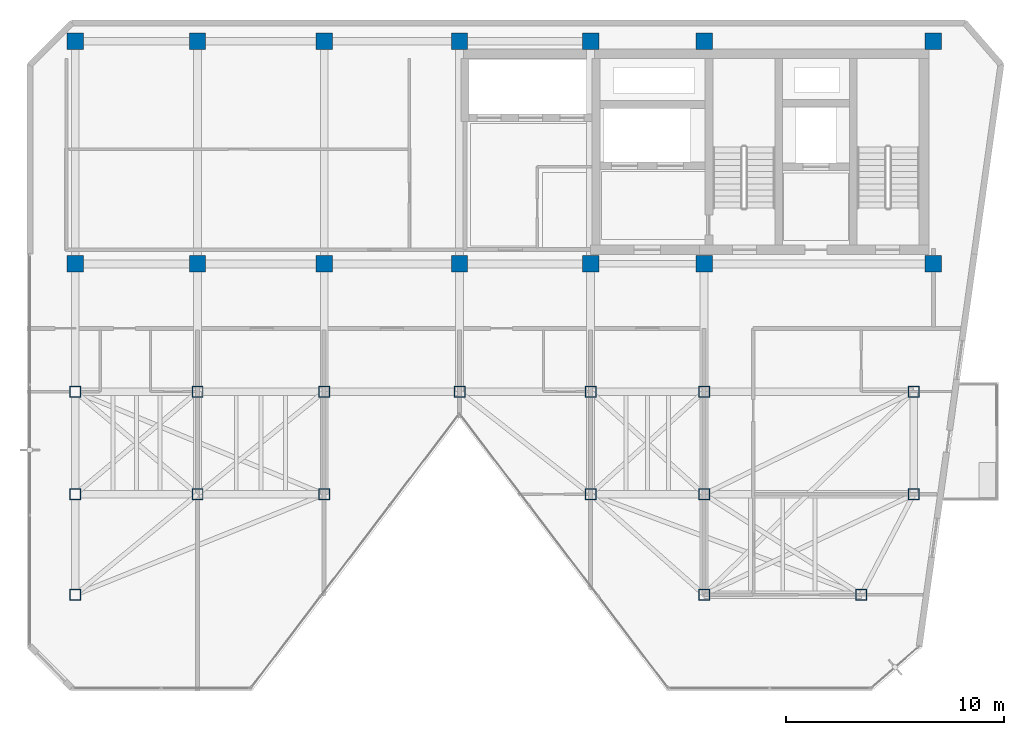
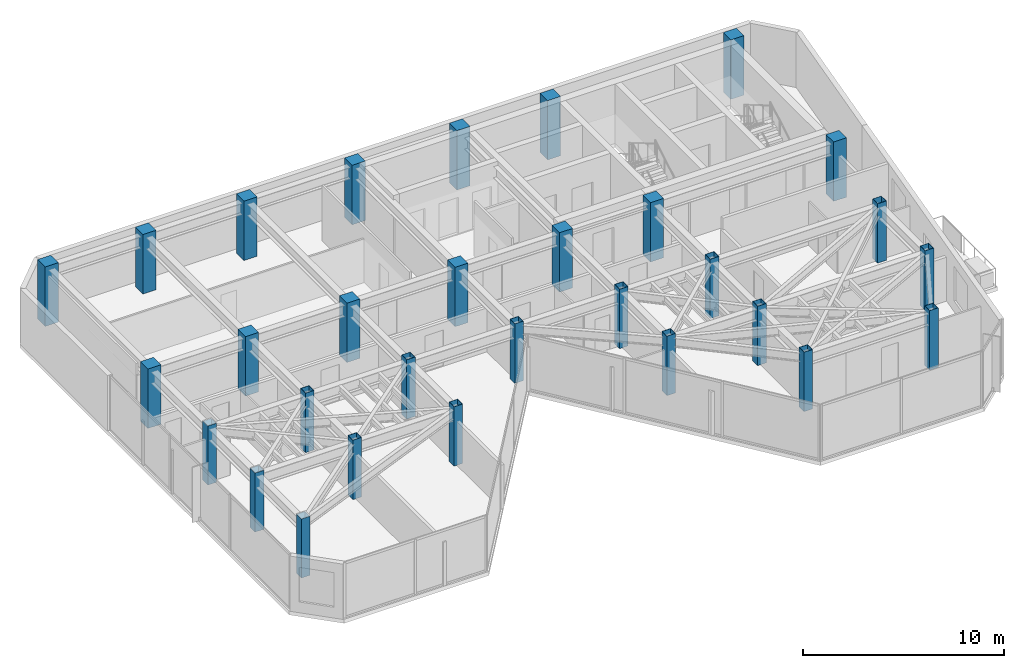
# One storey, part 1 of 19: 30 columns.
"""IFC4 building model written with IfcOpenShell, lengths in metres."""

from ifc_helpers import new_model, si_unit, direction, frame, origin, origin_2d, place, context, subcontext, project, spatial, rectangle, hollow_rectangle, extrude, material, material_profile, profile_set, type_object, element, save


model = new_model("IFC4")

# Units and contexts
model_context = context("Model", 3, precision=1e-05, world=origin(), true_north=direction((0.0, 1.0)))
body_context = subcontext(model_context, "Body", "Model", "MODEL_VIEW")
ifc_project = project(units=[si_unit("LENGTHUNIT", "METRE"), si_unit("AREAUNIT", "SQUARE_METRE"), si_unit("VOLUMEUNIT", "CUBIC_METRE"), si_unit("PLANEANGLEUNIT", "RADIAN"), si_unit("MASSUNIT", "GRAM", prefix="KILO")], contexts=[model_context])

# Site, building, storey
site_placement = place(None, origin())
site = spatial("IfcSite", under=ifc_project, at=site_placement, CompositionType="ELEMENT")
building_placement = place(site_placement, origin())
building = spatial("IfcBuilding", under=site, at=building_placement, Name="Kravanh Interchange Tower", CompositionType="ELEMENT")
storey_placement = place(building_placement, frame((0.0, 0.0, 259.800048828125)))
storey = spatial("IfcBuildingStorey", under=building, at=storey_placement, Name="L63", CompositionType="ELEMENT", Elevation=259.800048828125)

# Columns
ifc_material_1 = material(Name="Structural Steel S355", Category="steel")
ifc_material_profile_1 = material_profile(ifc_material_1, hollow_rectangle(XDim=0.5, YDim=0.5, WallThickness=0.02001953125, at=origin_2d()), Name="HSS500X500X20")
ifc_profile_set_1 = profile_set([ifc_material_profile_1], Name="Structural Steel S355")
column_type_1 = type_object("IfcColumnType", Name="Column HSS500X500X20 Structural Steel S355", PredefinedType="COLUMN", material=ifc_profile_set_1)
for number, where, z_axis, x_axis, name in (
    (1, (44.800048828125, 31.5, 0.0), (0.0, 0.0, 1.0), (1.0, 0.0, 0.0), "L63 Column CH_E1"),
    (2, (50.800048828125, 31.5, 0.0), (0.0, 0.0, 1.0), (1.0, 0.0, 0.0), "L63 Column CH_E2"),
    (3, (56.0, 31.5, 0.0), (0.0, 0.0, 1.0), (1.0, 0.0, 0.0), "L63 Column CH_E3"),
    (4, (65.60009765625, 31.5, 0.0), (0.0, 0.0, 1.0), (1.0, 0.0, 0.0), "L63 Column CH_E4"),
    (5, (38.60009765625, 31.5, 0.0), (0.0, 0.0, 1.0), (1.0, 0.0, 0.0), "L63 Column CH_E5"),
    (6, (32.800048828125, 31.5, 0.0), (0.0, 0.0, 1.0), (1.0, 0.0, 0.0), "L63 Column CH_E6"),
):
    element("IfcColumn", number, at=place(storey_placement, frame(where, z_axis=z_axis, x_axis=x_axis)), inside=storey, type_object=column_type_1, Name=name, PredefinedType="COLUMN", context=body_context, shape_type="SweptSolid", body=[
        extrude(hollow_rectangle(XDim=0.5, YDim=0.5, WallThickness=0.02001953125, at=origin_2d()), origin(), (0.0, 0.0, 1.0), 3.599853515625),
    ])
column_1_placement = place(storey_placement, frame((27.199951171875, 31.5, 0.0), z_axis=(0.0, 0.0, 1.0), x_axis=(1.0, 0.0, 0.0)))
element("IfcColumn", 7, at=column_1_placement, inside=storey, type_object=column_type_1, Name="L63 Column CH_E7", PredefinedType="COLUMN", context=body_context, shape_type="SweptSolid", body=[
    extrude(hollow_rectangle(XDim=0.5, YDim=0.5, WallThickness=0.02001953125, at=origin_2d()), origin(), (0.0, 0.0, 1.0), 3.574951171875),
])
for number, where, z_axis, x_axis, name in (
    (8, (38.60009765625, 26.800048828125, 0.0), (0.0, 0.0, 1.0), (1.0, 0.0, 0.0), "L63 Column CH_S1"),
    (9, (50.800048828125, 26.800048828125, 0.0), (0.0, 0.0, 1.0), (1.0, 0.0, 0.0), "L63 Column CH_S2"),
    (10, (56.0, 26.800048828125, 0.0), (0.0, 0.0, 1.0), (1.0, 0.0, 0.0), "L63 Column CH_S3"),
    (11, (65.60009765625, 26.800048828125, 0.0), (0.0, 0.0, 1.0), (1.0, 0.0, 0.0), "L63 Column CH_S4"),
    (12, (56.0, 22.199951171875, 0.0), (0.0, 0.0, 1.0), (1.0, 0.0, 0.0), "L63 Column CH_S5"),
    (13, (63.199951171875, 22.199951171875, 0.0), (0.0, 0.0, 1.0), (1.0, 0.0, 0.0), "L63 Column CH_S6"),
):
    element("IfcColumn", number, at=place(storey_placement, frame(where, z_axis=z_axis, x_axis=x_axis)), inside=storey, type_object=column_type_1, Name=name, PredefinedType="COLUMN", context=body_context, shape_type="SweptSolid", body=[
        extrude(hollow_rectangle(XDim=0.5, YDim=0.5, WallThickness=0.02001953125, at=origin_2d()), origin(), (0.0, 0.0, 1.0), 3.599853515625),
    ])
for number, where, z_axis, x_axis, name in (
    (14, (27.199951171875, 22.199951171875, 0.0), (0.0, 0.0, 1.0), (1.0, 0.0, 0.0), "L63 Column CH_W1"),
    (15, (27.199951171875, 26.800048828125, 0.0), (0.0, 0.0, 1.0), (1.0, 0.0, 0.0), "L63 Column CH_W1B"),
):
    element("IfcColumn", number, at=place(storey_placement, frame(where, z_axis=z_axis, x_axis=x_axis)), inside=storey, type_object=column_type_1, Name=name, PredefinedType="COLUMN", context=body_context, shape_type="SweptSolid", body=[
        extrude(hollow_rectangle(XDim=0.5, YDim=0.5, WallThickness=0.02001953125, at=origin_2d()), origin(), (0.0, 0.0, 1.0), 3.574951171875),
    ])
column_2_placement = place(storey_placement, frame((32.800048828125, 26.800048828125, 0.0), z_axis=(0.0, 0.0, 1.0), x_axis=(1.0, 0.0, 0.0)))
element("IfcColumn", 16, at=column_2_placement, inside=storey, type_object=column_type_1, Name="L63 Column CH_W3", PredefinedType="COLUMN", context=body_context, shape_type="SweptSolid", body=[
    extrude(hollow_rectangle(XDim=0.5, YDim=0.5, WallThickness=0.02001953125, at=origin_2d()), origin(), (0.0, 0.0, 1.0), 3.599853515625),
])
ifc_material_2 = material(Name="Concrete C60/75", Category="concrete")
ifc_material_profile_2 = material_profile(ifc_material_2, rectangle(XDim=0.75, YDim=0.75, at=origin_2d()), Name="RC750X750")
ifc_profile_set_2 = profile_set([ifc_material_profile_2], Name="Concrete C60/75")
column_type_2 = type_object("IfcColumnType", Name="Column RC750X750 Concrete C60/75", PredefinedType="COLUMN", material=ifc_profile_set_2)
for number, where, z_axis, x_axis, name in (
    (17, (66.5, 47.550048828125, 0.0), (0.0, 0.0, 1.0), (1.0, 0.0, 0.0), "L63 Column CS01"),
    (18, (56.0, 47.550048828125, 0.0), (0.0, 0.0, 1.0), (1.0, 0.0, 0.0), "L63 Column CS02"),
    (19, (66.5, 37.35009765625, 0.0), (0.0, 0.0, 1.0), (1.0, 0.0, 0.0), "L63 Column CS03"),
    (20, (56.0, 37.35009765625, 0.0), (0.0, 0.0, 1.0), (1.0, 0.0, 0.0), "L63 Column CS04"),
    (21, (50.800048828125, 47.550048828125, 0.0), (0.0, 0.0, 1.0), (1.0, 0.0, 0.0), "L63 Column CS05"),
    (22, (50.800048828125, 37.35009765625, 0.0), (0.0, 0.0, 1.0), (1.0, 0.0, 0.0), "L63 Column CS06"),
    (23, (44.800048828125, 37.35009765625, 0.0), (0.0, 0.0, 1.0), (1.0, 0.0, 0.0), "L63 Column CS07"),
    (24, (44.800048828125, 47.550048828125, 0.0), (0.0, 0.0, 1.0), (1.0, 0.0, 0.0), "L63 Column CS08"),
    (25, (38.60009765625, 37.35009765625, 0.0), (0.0, 0.0, 1.0), (1.0, 0.0, 0.0), "L63 Column CS09"),
    (26, (38.60009765625, 47.550048828125, 0.0), (0.0, 0.0, 1.0), (1.0, 0.0, 0.0), "L63 Column CS10"),
    (27, (32.800048828125, 37.35009765625, 0.0), (0.0, 0.0, 1.0), (1.0, 0.0, 0.0), "L63 Column CS11"),
    (28, (32.800048828125, 47.550048828125, 0.0), (0.0, 0.0, 1.0), (1.0, 0.0, 0.0), "L63 Column CS12"),
    (29, (27.199951171875, 37.35009765625, 0.0), (0.0, 0.0, 1.0), (1.0, 0.0, 0.0), "L63 Column CS13"),
    (30, (27.199951171875, 47.550048828125, 0.0), (0.0, 0.0, 1.0), (1.0, 0.0, 0.0), "L63 Column CS14"),
):
    element("IfcColumn", number, at=place(storey_placement, frame(where, z_axis=z_axis, x_axis=x_axis)), inside=storey, type_object=column_type_2, Name=name, PredefinedType="COLUMN", context=body_context, shape_type="SweptSolid", body=[
        extrude(rectangle(XDim=0.75, YDim=0.75, at=origin_2d()), origin(), (0.0, 0.0, 1.0), 3.599853515625),
    ])

save(model, "model.ifc")
